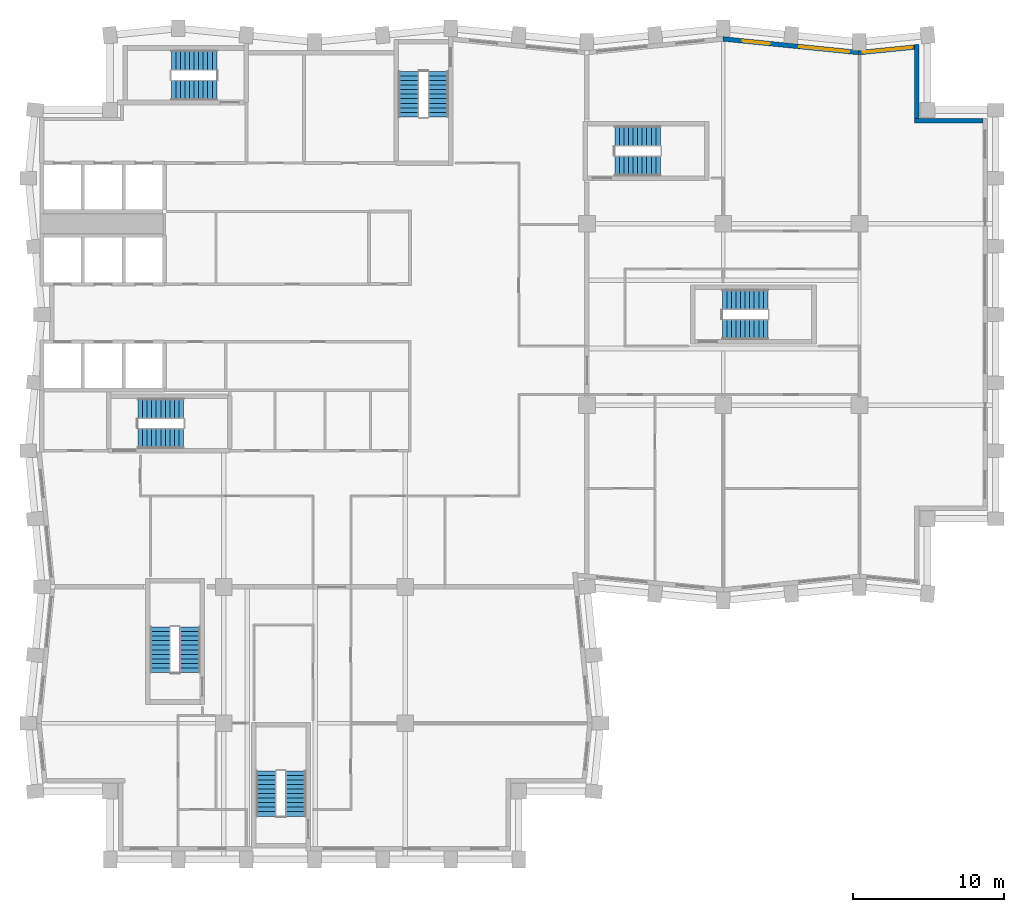
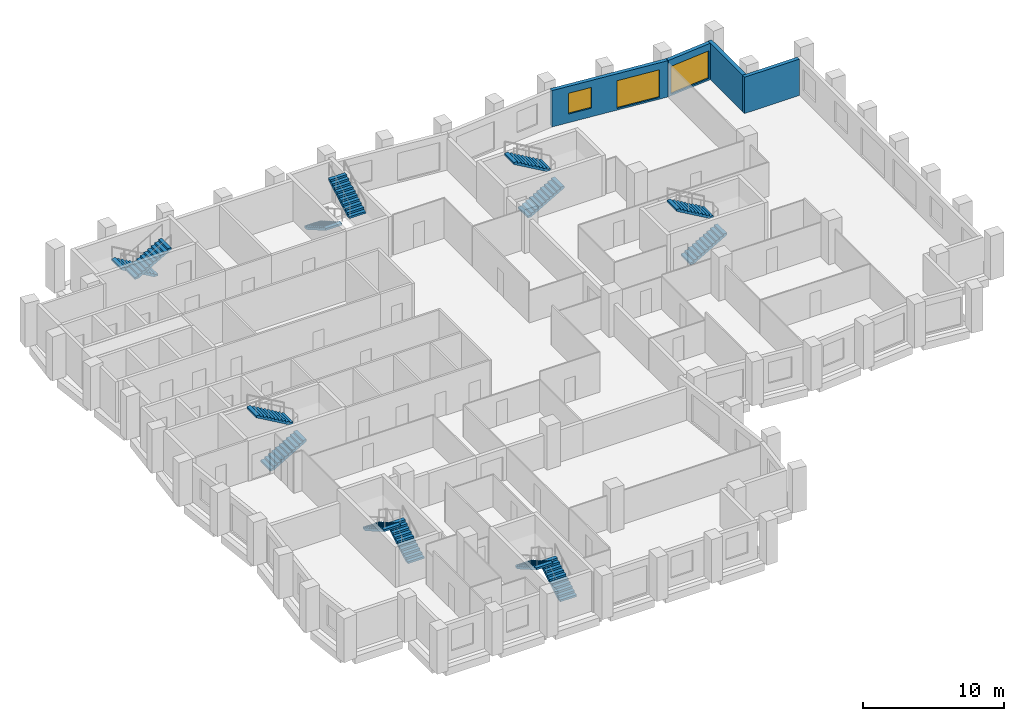
# One storey, part 8 of 10: 14 stair flights, 4 walls, 3 windows, 3 openings, 7 elements without a shape of their own.
"""IFC4 building model written with IfcOpenShell, lengths in metres."""

import ifcopenshell
import ifcopenshell.guid

model = None  # the IFC model being written
_history = None  # IfcOwnerHistory: only IFC2X3 demands one
_inside = {}  # id of a spatial element -> (the spatial element, [elements in it])
_under = {}  # id of a project, library or spatial element -> (it, [spatial elements below it])
_declared = {}  # id of a project -> (the project, [libraries it declares])
_typed = {}  # id of a type object -> (the type object, [elements of that type])
_made_of = {}  # id of a material, layer set ... -> (it, [elements and type objects made of it])


def new_model(schema):
    """Start an empty IFC model of exactly this schema.

    Asked for "IFC4X3", IfcOpenShell would pick the latest addendum, in which some entities
    have other attributes; the version numbers below select the first issue.
    IFC2X3 requires an IfcOwnerHistory on every rooted entity: one is made here for all.
    """
    global model, _history
    if schema == "IFC4X3":
        model = ifcopenshell.file(schema_version=(4, 3, 0, 0))
    else:
        model = ifcopenshell.file(schema=schema)
    _inside.clear()
    _under.clear()
    _declared.clear()
    _typed.clear()
    _made_of.clear()
    _history = None
    if model.schema == "IFC2X3":
        org = make("IfcOrganization", Name="unknown")
        user = make(
            "IfcPersonAndOrganization",
            ThePerson=make("IfcPerson", FamilyName="unknown"),
            TheOrganization=org,
        )
        app = make(
            "IfcApplication",
            ApplicationDeveloper=org,
            Version="unknown",
            ApplicationFullName="unknown",
            ApplicationIdentifier="unknown",
        )
        _history = make(
            "IfcOwnerHistory",
            OwningUser=user,
            OwningApplication=app,
            ChangeAction="ADDED",
            CreationDate=0,
        )
    return model


def make(cls, **values):
    """One entity of the class cls with the attributes given. An attribute that is None is left unset."""
    return model.create_entity(
        cls, **{name: value for name, value in values.items() if value is not None}
    )


def rooted(cls, **values):
    """An entity with a GlobalId (a new one), such as an element, a storey or a relation."""
    return make(cls, GlobalId=ifcopenshell.guid.new(), OwnerHistory=_history, **values)


def si_unit(unit_type, name, prefix=None):
    """IfcSIUnit, for example si_unit("LENGTHUNIT", "METRE", prefix="MILLI")."""
    return make("IfcSIUnit", UnitType=unit_type, Prefix=prefix, Name=name)


def assignment(units):
    """IfcUnitAssignment: the units of a project."""
    return None if units is None else make("IfcUnitAssignment", Units=units)


def point(xyz):
    """IfcCartesianPoint."""
    return None if xyz is None else make("IfcCartesianPoint", Coordinates=xyz)


def direction(xyz):
    """IfcDirection."""
    return None if xyz is None else make("IfcDirection", DirectionRatios=xyz)


def frame(location, z_axis=None, x_axis=None):
    """IfcAxis2Placement3D, a coordinate frame: its origin and axes. An axis left out is left unset."""
    return make(
        "IfcAxis2Placement3D",
        Location=point(location),
        Axis=direction(z_axis),
        RefDirection=direction(x_axis),
    )


def frame_2d(location, x_axis=None):
    """IfcAxis2Placement2D, a coordinate frame in the plane: its origin and x axis."""
    return make(
        "IfcAxis2Placement2D", Location=point(location), RefDirection=direction(x_axis)
    )


def origin():
    """The frame at (0, 0, 0) with its axes left unset."""
    return frame((0.0, 0.0, 0.0))


def place(relative_to, where):
    """IfcLocalPlacement: puts the frame where relative to a parent placement (None: the world)."""
    return make(
        "IfcLocalPlacement", PlacementRelTo=relative_to, RelativePlacement=where
    )


def context(
    kind, dimensions, precision=None, world=None, true_north=None, identifier=None
):
    """IfcGeometricRepresentationContext, for example the 3D "Model" context."""
    return make(
        "IfcGeometricRepresentationContext",
        ContextIdentifier=identifier,
        ContextType=kind,
        CoordinateSpaceDimension=dimensions,
        Precision=precision,
        WorldCoordinateSystem=world,
        TrueNorth=true_north,
    )


def subcontext(parent, identifier, kind, view, scale=None):
    """IfcGeometricRepresentationSubContext, for example "Body" below "Model"."""
    return make(
        "IfcGeometricRepresentationSubContext",
        ContextIdentifier=identifier,
        ContextType=kind,
        ParentContext=parent,
        TargetScale=scale,
        TargetView=view,
    )


def project(units=None, contexts=None):
    """IfcProject with its units and contexts."""
    return rooted(
        "IfcProject",
        Name="project",
        RepresentationContexts=contexts,
        UnitsInContext=assignment(units),
    )


def spatial(cls, under=None, at=None, **own):
    """A site, building, storey or space (cls), placed at a placement, below another one or the project."""
    s = rooted(cls, ObjectPlacement=at, **own)
    if under is not None:
        _under.setdefault(under.id(), (under, []))[1].append(s)
    return s


def polyline(points):
    """IfcPolyline through the points."""
    return make("IfcPolyline", Points=[point(p) for p in points])


def profile(cls, at=None, kind="AREA", **sizes):
    """A parametric profile (cls). Its sizes go by their IFC names, for example OverallWidth=200.0."""
    return make(cls, ProfileType=kind, Position=at, **sizes)


def rectangle(**sizes):
    """IfcRectangleProfileDef."""
    return profile("IfcRectangleProfileDef", **sizes)


def outline(outer, holes=None, kind="AREA"):
    """IfcArbitraryClosedProfileDef: a profile drawn as a closed curve; with holes, ...WithVoids."""
    if holes is None:
        return make("IfcArbitraryClosedProfileDef", ProfileType=kind, OuterCurve=outer)
    return make(
        "IfcArbitraryProfileDefWithVoids",
        ProfileType=kind,
        OuterCurve=outer,
        InnerCurves=holes,
    )


def extrude(swept, where, along, depth):
    """IfcExtrudedAreaSolid: the profile swept, set in the frame where, extruded along a direction by depth."""
    return make(
        "IfcExtrudedAreaSolid",
        SweptArea=swept,
        Position=where,
        ExtrudedDirection=direction(along),
        Depth=depth,
    )


def shape(context_of_items, identifier, shape_type, items):
    """IfcShapeRepresentation: the items that make up one representation, for example the "Body"."""
    return make(
        "IfcShapeRepresentation",
        ContextOfItems=context_of_items,
        RepresentationIdentifier=identifier,
        RepresentationType=shape_type,
        Items=items,
    )


def material(Name=None, Category=None):
    """IfcMaterial."""
    return make("IfcMaterial", Name=Name, Category=Category)


def layer(
    of_material, thickness, ventilated=None, Name=None, Category=None, Priority=None
):
    """IfcMaterialLayer: one layer of a wall or slab, of a material (None: an air gap)."""
    return make(
        "IfcMaterialLayer",
        Material=of_material,
        LayerThickness=thickness,
        IsVentilated=ventilated,
        Name=Name,
        Category=Category,
        Priority=Priority,
    )


def layer_set(layers, Name=None):
    """IfcMaterialLayerSet."""
    return make("IfcMaterialLayerSet", MaterialLayers=layers, LayerSetName=Name)


def made_of(thing, what):
    """Note that an element or type object is made of a material, layer set ...; save() writes the relation."""
    if what is not None:
        _made_of.setdefault(what.id(), (what, []))[1].append(thing)
    return thing


def type_object(cls, material=None, **own):
    """A type object (cls), such as IfcWallType, which elements share."""
    return made_of(rooted(cls, **own), material)


def element(
    cls,
    number,
    at=None,
    inside=None,
    cuts=None,
    type_object=None,
    material=None,
    context=None,
    identifier="Body",
    shape_type=None,
    held_by="IfcProductDefinitionShape",
    body=None,
    shapes=None,
    **own,
):
    """One element of the class cls, such as IfcWall. Its Tag is "e" and its number.

    at: its placement. inside: the storey or other place that contains it. cuts: it is an
    opening in that element (IfcRelVoidsElement). A single representation is given by context,
    identifier, shape_type and body (its items); several are given by shapes. held_by: the class
    of the entity that holds the representations. save() writes the other relations.
    """
    e = rooted(cls, Tag="e%d" % number, ObjectPlacement=at, **own)
    if body is not None:
        shapes = [shape(context, identifier, shape_type, body)]
    if shapes is not None:
        e.Representation = make(held_by, Representations=shapes)
    if inside is not None:
        _inside.setdefault(inside.id(), (inside, []))[1].append(e)
    if cuts is not None:
        rooted(
            "IfcRelVoidsElement", RelatingBuildingElement=cuts, RelatedOpeningElement=e
        )
    if type_object is not None:
        _typed.setdefault(type_object.id(), (type_object, []))[1].append(e)
    return made_of(e, material)


def fill(opening, filler):
    """IfcRelFillsElement: the door or window that sits in an opening."""
    return rooted(
        "IfcRelFillsElement",
        RelatingOpeningElement=opening,
        RelatedBuildingElement=filler,
    )


def aggregate(whole, parts):
    """IfcRelAggregates: a whole, such as a stair, and the parts it consists of."""
    return rooted("IfcRelAggregates", RelatingObject=whole, RelatedObjects=parts)


def save(model, path):
    """Write the relations noted so far, then the file.

    IfcRelAggregates (storeys below a building ...), IfcRelContainedInSpatialStructure (elements
    in a storey), IfcRelDefinesByType, IfcRelAssociatesMaterial and IfcRelDeclares: one each for
    every whole, place, type object, material and project.
    """
    for whole, parts in _under.values():
        aggregate(whole, parts)
    for where, things in _inside.values():
        rooted(
            "IfcRelContainedInSpatialStructure",
            RelatedElements=things,
            RelatingStructure=where,
        )
    for kind, things in _typed.values():
        rooted("IfcRelDefinesByType", RelatedObjects=things, RelatingType=kind)
    for what, things in _made_of.values():
        rooted("IfcRelAssociatesMaterial", RelatedObjects=things, RelatingMaterial=what)
    for by, libraries in _declared.values():
        rooted("IfcRelDeclares", RelatingContext=by, RelatedDefinitions=libraries)
    model.write(path)


model = new_model("IFC4")

# Units and contexts
model_context = context("Model", 3, precision=1e-05, world=origin(), true_north=direction((0.0, 1.0)))
body_context = subcontext(model_context, "Body", "Model", "MODEL_VIEW")
ifc_project = project(units=[si_unit("LENGTHUNIT", "METRE"), si_unit("AREAUNIT", "SQUARE_METRE"), si_unit("VOLUMEUNIT", "CUBIC_METRE"), si_unit("PLANEANGLEUNIT", "RADIAN"), si_unit("MASSUNIT", "GRAM", prefix="KILO")], contexts=[model_context])

# Site, building, storey
site_placement = place(None, origin())
site = spatial("IfcSite", under=ifc_project, at=site_placement, CompositionType="ELEMENT")
building_placement = place(site_placement, origin())
building = spatial("IfcBuilding", under=site, at=building_placement, Name="Brondeck Convention Tower", CompositionType="ELEMENT")
storey_placement = place(building_placement, frame((0.0, 0.0, 173.800048828125)))
storey = spatial("IfcBuildingStorey", under=building, at=storey_placement, Name="L42", CompositionType="ELEMENT", Elevation=173.800048828125)

# Walls
ifc_material_1 = material(Name="Precast concrete C50/60 bronze finish", Category="concrete")
ifc_layer_1 = layer(ifc_material_1, 0.070068359375, Name="Bronze precast facing")
ifc_material_2 = material(Name="Mineral wool")
ifc_layer_2 = layer(ifc_material_2, 0.159912109375, Name="Insulation")
ifc_material_3 = material(Name="Concrete C35/45", Category="concrete")
ifc_layer_3 = layer(ifc_material_3, 0.070068359375, Name="Backing")
ifc_layer_set = layer_set([ifc_layer_1, ifc_layer_2, ifc_layer_3], Name="External infill wall, precast concrete C50/60 bronze facing")
wall_type = type_object("IfcWallType", Name="External infill wall, precast concrete C50/60 bronze facing", PredefinedType="SOLIDWALL", material=ifc_layer_set)
wall_1_placement = place(storey_placement, frame((57.64990234375, 57.800048828125, 0.0), z_axis=(0.0, 0.0, 1.0), x_axis=(1.0, 0.0, 0.0)))
element("IfcWall", 1, at=wall_1_placement, inside=storey, type_object=wall_type, Name="ENV-EW-L42-P1-NC-NEA63-01", PredefinedType="SOLIDWALL", context=body_context, shape_type="SweptSolid", body=[
    extrude(rectangle(XDim=4.502197265625, YDim=0.300048828125, at=frame_2d((2.2509765625, 0.0))), origin(), (0.0, 0.0, 1.0), 3.14990234375),
])
wall_2_placement = place(storey_placement, frame((57.800048828125, 62.84228515625, 0.0), z_axis=(0.0, 0.0, 1.0), x_axis=(0.0, -1.0, 0.0)))
element("IfcWall", 2, at=wall_2_placement, inside=storey, type_object=wall_type, Name="ENV-EW-L42-P1-NC-NEA63-02", PredefinedType="SOLIDWALL", context=body_context, shape_type="SweptSolid", body=[
    extrude(rectangle(XDim=4.894287109375, YDim=0.300048828125, at=frame_2d((2.447265625, 0.0))), origin(), (0.0, 0.0, 1.0), 3.14990234375),
])

# Wall, opening, window
wall_3_placement = place(storey_placement, frame((53.985107421875, 62.294921875, 0.0), z_axis=(0.0, 0.0, 1.0), x_axis=(0.99503719021, 0.099503719021, 0.0)))
wall_3 = element("IfcWall", 3, at=wall_3_placement, inside=storey, type_object=wall_type, Name="ENV-EW-L42-P1-A-N-12", PredefinedType="SOLIDWALL", context=body_context, shape_type="SweptSolid", body=[
    extrude(rectangle(XDim=3.677978515625, YDim=0.300048828125, at=frame_2d((1.8388671875, 0.0))), origin(), (0.0, 0.0, 1.0), 3.14990234375),
])
opening_1_placement = place(wall_3_placement, frame((0.22802734375, 0.0, 0.14990234375)))
opening_1 = element("IfcOpeningElement", 4, at=opening_1_placement, cuts=wall_3, Name="Opening W9", PredefinedType="OPENING", context=body_context, shape_type="SweptSolid", body=[
    extrude(rectangle(XDim=3.300048828125, YDim=2.39990234375, at=frame_2d((1.64990234375, 1.199951171875))), frame((0.0, 0.159912109375, 0.0), z_axis=(0.0, -1.0, 0.0), x_axis=(1.0, 0.0, 0.0)), (0.0, 0.0, 1.0), 0.320068359375),
])
ifc_material_4 = material(Name="Bronze tinted double glazing", Category="glass")
window_type_1 = type_object("IfcWindowType", Name="Glazed flute window, bronze tinted", PartitioningType="SINGLE_PANEL", PredefinedType="WINDOW", material=ifc_material_4)
window_1_placement = place(opening_1_placement, origin())
window_1 = element("IfcWindow", 5, at=window_1_placement, inside=storey, type_object=window_type_1, Name="ENV-WN-L42-P1-A-N-12", OverallHeight=2.39990234375, OverallWidth=3.300048828125, PartitioningType="SINGLE_PANEL", PredefinedType="WINDOW", context=body_context, shape_type="SweptSolid", body=[
    extrude(rectangle(XDim=3.300048828125, YDim=2.39990234375, at=frame_2d((1.64990234375, 1.199951171875))), frame((0.0, 0.030029296875, 0.0), z_axis=(0.0, -1.0, 0.0), x_axis=(1.0, 0.0, 0.0)), (0.0, 0.0, 1.0), 0.06005859375),
])
fill(opening_1, window_1)

# Wall, openings, windows
wall_4_placement = place(storey_placement, frame((44.985107421875, 63.197998046875, 0.0), z_axis=(0.0, 0.0, 1.0), x_axis=(0.995037993253, -0.099495688264, 0.0)))
wall_4 = element("IfcWall", 6, at=wall_4_placement, inside=storey, type_object=wall_type, Name="ENV-EW-L42-P1-A-N-11", PredefinedType="SOLIDWALL", context=body_context, shape_type="SweptSolid", body=[
    extrude(rectangle(XDim=9.030029296875, YDim=0.300048828125, at=frame_2d((4.51513671875, 0.0))), origin(), (0.0, 0.0, 1.0), 3.14990234375),
])
opening_2_placement = place(wall_4_placement, frame((1.30615234375, 0.0, 0.75)))
opening_2 = element("IfcOpeningElement", 7, at=opening_2_placement, cuts=wall_4, Name="Opening W10", PredefinedType="OPENING", context=body_context, shape_type="SweptSolid", body=[
    extrude(rectangle(XDim=1.800048828125, YDim=1.800048828125, at=frame_2d((0.89990234375, 0.89990234375))), frame((0.0, 0.159912109375, 0.0), z_axis=(0.0, -1.0, 0.0), x_axis=(1.0, 0.0, 0.0)), (0.0, 0.0, 1.0), 0.320068359375),
])
opening_3_placement = place(wall_4_placement, frame((5.07861328125, 0.0, 0.14990234375)))
opening_3 = element("IfcOpeningElement", 8, at=opening_3_placement, cuts=wall_4, Name="Opening W9", PredefinedType="OPENING", context=body_context, shape_type="SweptSolid", body=[
    extrude(rectangle(XDim=3.300048828125, YDim=2.39990234375, at=frame_2d((1.64990234375, 1.199951171875))), frame((0.0, 0.159912109375, 0.0), z_axis=(0.0, -1.0, 0.0), x_axis=(1.0, 0.0, 0.0)), (0.0, 0.0, 1.0), 0.320068359375),
])
window_2_placement = place(opening_3_placement, origin())
window_2 = element("IfcWindow", 9, at=window_2_placement, inside=storey, type_object=window_type_1, Name="ENV-WN-L42-P1-A-N-11", OverallHeight=2.39990234375, OverallWidth=3.300048828125, PartitioningType="SINGLE_PANEL", PredefinedType="WINDOW", context=body_context, shape_type="SweptSolid", body=[
    extrude(rectangle(XDim=3.300048828125, YDim=2.39990234375, at=frame_2d((1.64990234375, 1.199951171875))), frame((0.0, 0.030029296875, 0.0), z_axis=(0.0, -1.0, 0.0), x_axis=(1.0, 0.0, 0.0)), (0.0, 0.0, 1.0), 0.06005859375),
])
fill(opening_3, window_2)
window_type_2 = type_object("IfcWindowType", Name="Punched window, bronze tinted", PartitioningType="SINGLE_PANEL", PredefinedType="WINDOW", material=ifc_material_4)
window_3_placement = place(opening_2_placement, origin())
window_3 = element("IfcWindow", 10, at=window_3_placement, inside=storey, type_object=window_type_2, Name="ENV-WN-L42-P1-A-N-10", OverallHeight=1.800048828125, OverallWidth=1.800048828125, PartitioningType="SINGLE_PANEL", PredefinedType="WINDOW", context=body_context, shape_type="SweptSolid", body=[
    extrude(rectangle(XDim=1.800048828125, YDim=1.800048828125, at=frame_2d((0.89990234375, 0.89990234375))), frame((0.0, 0.030029296875, 0.0), z_axis=(0.0, -1.0, 0.0), x_axis=(1.0, 0.0, 0.0)), (0.0, 0.0, 1.0), 0.06005859375),
])
fill(opening_2, window_3)

# Stair, stair flights
ifc_material_5 = material(Name="Precast concrete C50/60", Category="concrete")
stair_type = type_object("IfcStairType", Name="Core stair 22 risers 172.73 mm riser 300 mm going 1350 wide", PredefinedType="HALF_TURN_STAIR", material=ifc_material_5)
stair_1_placement = place(storey_placement, origin())
stair_1 = element("IfcStair", 11, at=stair_1_placement, inside=storey, type_object=stair_type, Name="ST-1 L42 stair", PredefinedType="HALF_TURN_STAIR")
stair_flight_type = type_object("IfcStairFlightType", Name="Core stair flight 22 risers 172.73 mm riser 300 mm going 1350 wide", PredefinedType="STRAIGHT", material=ifc_material_5)
stair_flight_1_placement = place(storey_placement, frame((6.35009765625, 36.824951171875, 0.0), z_axis=(0.0, 0.0, 1.0), x_axis=(1.0, 0.0, 0.0)))
stair_flight_1 = element("IfcStairFlight", 12, at=stair_flight_1_placement, type_object=stair_flight_type, Name="ST-1 flight 1", NumberOfRisers=11, NumberOfTreads=10, PredefinedType="STRAIGHT", RiserHeight=0.172727273, TreadLength=0.3, context=body_context, shape_type="SweptSolid", body=[
    extrude(outline(polyline([(0.0, 0.0), (0.0, 0.172607421875), (0.300048828125, 0.172607421875), (0.300048828125, 0.345458984375), (0.60009765625, 0.345458984375), (0.60009765625, 0.51806640625), (0.89990234375, 0.51806640625), (0.89990234375, 0.69091796875), (1.199951171875, 0.69091796875), (1.199951171875, 0.863525390625), (1.5, 0.863525390625), (1.5, 1.036376953125), (1.800048828125, 1.036376953125), (1.800048828125, 1.208984375), (2.10009765625, 1.208984375), (2.10009765625, 1.3818359375), (2.39990234375, 1.3818359375), (2.39990234375, 1.554443359375), (2.699951171875, 1.554443359375), (2.699951171875, 1.727294921875), (3.0, 1.727294921875), (3.0, 1.89990234375), (3.0, 1.55419921875), (0.300537109375, 0.0), (0.0, 0.0)])), frame((0.0, 0.675048828125, 0.0), z_axis=(0.0, -1.0, 0.0), x_axis=(1.0, 0.0, 0.0)), (0.0, 0.0, 1.0), 1.35009765625),
])
stair_flight_2_placement = place(storey_placement, frame((9.35009765625, 38.77490234375, 1.89990234375), z_axis=(0.0, 0.0, 1.0), x_axis=(-1.0, 0.0, 0.0)))
stair_flight_2 = element("IfcStairFlight", 13, at=stair_flight_2_placement, type_object=stair_flight_type, Name="ST-1 flight 2", NumberOfRisers=11, NumberOfTreads=10, PredefinedType="STRAIGHT", RiserHeight=0.172727273, TreadLength=0.3, context=body_context, shape_type="SweptSolid", body=[
    extrude(outline(polyline([(0.0, 0.0), (0.0, 0.172607421875), (0.300048828125, 0.172607421875), (0.300048828125, 0.345458984375), (0.60009765625, 0.345458984375), (0.60009765625, 0.51806640625), (0.89990234375, 0.51806640625), (0.89990234375, 0.69091796875), (1.199951171875, 0.69091796875), (1.199951171875, 0.863525390625), (1.5, 0.863525390625), (1.5, 1.036376953125), (1.800048828125, 1.036376953125), (1.800048828125, 1.208984375), (2.10009765625, 1.208984375), (2.10009765625, 1.3818359375), (2.39990234375, 1.3818359375), (2.39990234375, 1.554443359375), (2.699951171875, 1.554443359375), (2.699951171875, 1.727294921875), (3.0, 1.727294921875), (3.0, 1.89990234375), (3.0, 1.55419921875), (0.300537109375, 0.0), (0.0, 0.0)])), frame((0.0, 0.675048828125, 0.0), z_axis=(0.0, -1.0, 0.0), x_axis=(1.0, 0.0, 0.0)), (0.0, 0.0, 1.0), 1.35009765625),
])
aggregate(stair_1, [stair_flight_1, stair_flight_2])

stair_2_placement = place(storey_placement, origin())
stair_2 = element("IfcStair", 14, at=stair_2_placement, inside=storey, type_object=stair_type, Name="ST-2 L42 stair", PredefinedType="HALF_TURN_STAIR")
stair_flight_3_placement = place(storey_placement, frame((24.22509765625, 61.050048828125, 0.0), z_axis=(0.0, 0.0, 1.0), x_axis=(0.0, -1.0, 0.0)))
stair_flight_3 = element("IfcStairFlight", 15, at=stair_flight_3_placement, type_object=stair_flight_type, Name="ST-2 flight 1", NumberOfRisers=11, NumberOfTreads=10, PredefinedType="STRAIGHT", RiserHeight=0.172727273, TreadLength=0.3, context=body_context, shape_type="SweptSolid", body=[
    extrude(outline(polyline([(0.0, 0.0), (0.0, 0.172607421875), (0.300048828125, 0.172607421875), (0.300048828125, 0.345458984375), (0.60009765625, 0.345458984375), (0.60009765625, 0.51806640625), (0.89990234375, 0.51806640625), (0.89990234375, 0.69091796875), (1.199951171875, 0.69091796875), (1.199951171875, 0.863525390625), (1.5, 0.863525390625), (1.5, 1.036376953125), (1.800048828125, 1.036376953125), (1.800048828125, 1.208984375), (2.10009765625, 1.208984375), (2.10009765625, 1.3818359375), (2.39990234375, 1.3818359375), (2.39990234375, 1.554443359375), (2.699951171875, 1.554443359375), (2.699951171875, 1.727294921875), (3.0, 1.727294921875), (3.0, 1.89990234375), (3.0, 1.55419921875), (0.300537109375, 0.0), (0.0, 0.0)])), frame((0.0, 0.675048828125, 0.0), z_axis=(0.0, -1.0, 0.0), x_axis=(1.0, 0.0, 0.0)), (0.0, 0.0, 1.0), 1.35009765625),
])
stair_flight_4_placement = place(storey_placement, frame((26.175048828125, 58.050048828125, 1.89990234375), z_axis=(0.0, 0.0, 1.0), x_axis=(0.0, 1.0, 0.0)))
stair_flight_4 = element("IfcStairFlight", 16, at=stair_flight_4_placement, type_object=stair_flight_type, Name="ST-2 flight 2", NumberOfRisers=11, NumberOfTreads=10, PredefinedType="STRAIGHT", RiserHeight=0.172727273, TreadLength=0.3, context=body_context, shape_type="SweptSolid", body=[
    extrude(outline(polyline([(0.0, 0.0), (0.0, 0.172607421875), (0.300048828125, 0.172607421875), (0.300048828125, 0.345458984375), (0.60009765625, 0.345458984375), (0.60009765625, 0.51806640625), (0.89990234375, 0.51806640625), (0.89990234375, 0.69091796875), (1.199951171875, 0.69091796875), (1.199951171875, 0.863525390625), (1.5, 0.863525390625), (1.5, 1.036376953125), (1.800048828125, 1.036376953125), (1.800048828125, 1.208984375), (2.10009765625, 1.208984375), (2.10009765625, 1.3818359375), (2.39990234375, 1.3818359375), (2.39990234375, 1.554443359375), (2.699951171875, 1.554443359375), (2.699951171875, 1.727294921875), (3.0, 1.727294921875), (3.0, 1.89990234375), (3.0, 1.55419921875), (0.300537109375, 0.0), (0.0, 0.0)])), frame((0.0, 0.675048828125, 0.0), z_axis=(0.0, -1.0, 0.0), x_axis=(1.0, 0.0, 0.0)), (0.0, 0.0, 1.0), 1.35009765625),
])
aggregate(stair_2, [stair_flight_3, stair_flight_4])

stair_3_placement = place(storey_placement, origin())
stair_3 = element("IfcStair", 17, at=stair_3_placement, inside=storey, type_object=stair_type, Name="ST-3 L42 stair", PredefinedType="HALF_TURN_STAIR")
stair_flight_5_placement = place(storey_placement, frame((11.550048828125, 61.77490234375, 0.0), z_axis=(0.0, 0.0, 1.0), x_axis=(-1.0, 0.0, 0.0)))
stair_flight_5 = element("IfcStairFlight", 18, at=stair_flight_5_placement, type_object=stair_flight_type, Name="ST-3 flight 1", NumberOfRisers=11, NumberOfTreads=10, PredefinedType="STRAIGHT", RiserHeight=0.172727273, TreadLength=0.3, context=body_context, shape_type="SweptSolid", body=[
    extrude(outline(polyline([(0.0, 0.0), (0.0, 0.172607421875), (0.300048828125, 0.172607421875), (0.300048828125, 0.345458984375), (0.60009765625, 0.345458984375), (0.60009765625, 0.51806640625), (0.89990234375, 0.51806640625), (0.89990234375, 0.69091796875), (1.199951171875, 0.69091796875), (1.199951171875, 0.863525390625), (1.5, 0.863525390625), (1.5, 1.036376953125), (1.800048828125, 1.036376953125), (1.800048828125, 1.208984375), (2.10009765625, 1.208984375), (2.10009765625, 1.3818359375), (2.39990234375, 1.3818359375), (2.39990234375, 1.554443359375), (2.699951171875, 1.554443359375), (2.699951171875, 1.727294921875), (3.0, 1.727294921875), (3.0, 1.89990234375), (3.0, 1.55419921875), (0.300537109375, 0.0), (0.0, 0.0)])), frame((0.0, 0.675048828125, 0.0), z_axis=(0.0, -1.0, 0.0), x_axis=(1.0, 0.0, 0.0)), (0.0, 0.0, 1.0), 1.35009765625),
])
stair_flight_6_placement = place(storey_placement, frame((8.550048828125, 59.824951171875, 1.89990234375), z_axis=(0.0, 0.0, 1.0), x_axis=(1.0, 0.0, 0.0)))
stair_flight_6 = element("IfcStairFlight", 19, at=stair_flight_6_placement, type_object=stair_flight_type, Name="ST-3 flight 2", NumberOfRisers=11, NumberOfTreads=10, PredefinedType="STRAIGHT", RiserHeight=0.172727273, TreadLength=0.3, context=body_context, shape_type="SweptSolid", body=[
    extrude(outline(polyline([(0.0, 0.0), (0.0, 0.172607421875), (0.300048828125, 0.172607421875), (0.300048828125, 0.345458984375), (0.60009765625, 0.345458984375), (0.60009765625, 0.51806640625), (0.89990234375, 0.51806640625), (0.89990234375, 0.69091796875), (1.199951171875, 0.69091796875), (1.199951171875, 0.863525390625), (1.5, 0.863525390625), (1.5, 1.036376953125), (1.800048828125, 1.036376953125), (1.800048828125, 1.208984375), (2.10009765625, 1.208984375), (2.10009765625, 1.3818359375), (2.39990234375, 1.3818359375), (2.39990234375, 1.554443359375), (2.699951171875, 1.554443359375), (2.699951171875, 1.727294921875), (3.0, 1.727294921875), (3.0, 1.89990234375), (3.0, 1.55419921875), (0.300537109375, 0.0), (0.0, 0.0)])), frame((0.0, 0.675048828125, 0.0), z_axis=(0.0, -1.0, 0.0), x_axis=(1.0, 0.0, 0.0)), (0.0, 0.0, 1.0), 1.35009765625),
])
aggregate(stair_3, [stair_flight_5, stair_flight_6])

stair_4_placement = place(storey_placement, origin())
stair_4 = element("IfcStair", 20, at=stair_4_placement, inside=storey, type_object=stair_type, Name="ST-AE L42 stair", PredefinedType="HALF_TURN_STAIR")
stair_flight_7_placement = place(storey_placement, frame((37.85009765625, 54.824951171875, 0.0), z_axis=(0.0, 0.0, 1.0), x_axis=(1.0, 0.0, 0.0)))
stair_flight_7 = element("IfcStairFlight", 21, at=stair_flight_7_placement, type_object=stair_flight_type, Name="ST-AE flight 1", NumberOfRisers=11, NumberOfTreads=10, PredefinedType="STRAIGHT", RiserHeight=0.172727273, TreadLength=0.3, context=body_context, shape_type="SweptSolid", body=[
    extrude(outline(polyline([(0.0, 0.0), (0.0, 0.172607421875), (0.300048828125, 0.172607421875), (0.300048828125, 0.345458984375), (0.60009765625, 0.345458984375), (0.60009765625, 0.51806640625), (0.89990234375, 0.51806640625), (0.89990234375, 0.69091796875), (1.199951171875, 0.69091796875), (1.199951171875, 0.863525390625), (1.5, 0.863525390625), (1.5, 1.036376953125), (1.800048828125, 1.036376953125), (1.800048828125, 1.208984375), (2.10009765625, 1.208984375), (2.10009765625, 1.3818359375), (2.39990234375, 1.3818359375), (2.39990234375, 1.554443359375), (2.699951171875, 1.554443359375), (2.699951171875, 1.727294921875), (3.0, 1.727294921875), (3.0, 1.89990234375), (3.0, 1.55419921875), (0.300537109375, 0.0), (0.0, 0.0)])), frame((0.0, 0.675048828125, 0.0), z_axis=(0.0, -1.0, 0.0), x_axis=(1.0, 0.0, 0.0)), (0.0, 0.0, 1.0), 1.35009765625),
])
stair_flight_8_placement = place(storey_placement, frame((40.85009765625, 56.77490234375, 1.89990234375), z_axis=(0.0, 0.0, 1.0), x_axis=(-1.0, 0.0, 0.0)))
stair_flight_8 = element("IfcStairFlight", 22, at=stair_flight_8_placement, type_object=stair_flight_type, Name="ST-AE flight 2", NumberOfRisers=11, NumberOfTreads=10, PredefinedType="STRAIGHT", RiserHeight=0.172727273, TreadLength=0.3, context=body_context, shape_type="SweptSolid", body=[
    extrude(outline(polyline([(0.0, 0.0), (0.0, 0.172607421875), (0.300048828125, 0.172607421875), (0.300048828125, 0.345458984375), (0.60009765625, 0.345458984375), (0.60009765625, 0.51806640625), (0.89990234375, 0.51806640625), (0.89990234375, 0.69091796875), (1.199951171875, 0.69091796875), (1.199951171875, 0.863525390625), (1.5, 0.863525390625), (1.5, 1.036376953125), (1.800048828125, 1.036376953125), (1.800048828125, 1.208984375), (2.10009765625, 1.208984375), (2.10009765625, 1.3818359375), (2.39990234375, 1.3818359375), (2.39990234375, 1.554443359375), (2.699951171875, 1.554443359375), (2.699951171875, 1.727294921875), (3.0, 1.727294921875), (3.0, 1.89990234375), (3.0, 1.55419921875), (0.300537109375, 0.0), (0.0, 0.0)])), frame((0.0, 0.675048828125, 0.0), z_axis=(0.0, -1.0, 0.0), x_axis=(1.0, 0.0, 0.0)), (0.0, 0.0, 1.0), 1.35009765625),
])
aggregate(stair_4, [stair_flight_7, stair_flight_8])

stair_5_placement = place(storey_placement, origin())
stair_5 = element("IfcStair", 23, at=stair_5_placement, inside=storey, type_object=stair_type, Name="ST-BE L42 stair", PredefinedType="HALF_TURN_STAIR")
stair_flight_9_placement = place(storey_placement, frame((9.77490234375, 21.35009765625, 0.0), z_axis=(0.0, 0.0, 1.0), x_axis=(0.0, 1.0, 0.0)))
stair_flight_9 = element("IfcStairFlight", 24, at=stair_flight_9_placement, type_object=stair_flight_type, Name="ST-BE flight 1", NumberOfRisers=11, NumberOfTreads=10, PredefinedType="STRAIGHT", RiserHeight=0.172727273, TreadLength=0.3, context=body_context, shape_type="SweptSolid", body=[
    extrude(outline(polyline([(0.0, 0.0), (0.0, 0.172607421875), (0.300048828125, 0.172607421875), (0.300048828125, 0.345458984375), (0.60009765625, 0.345458984375), (0.60009765625, 0.51806640625), (0.89990234375, 0.51806640625), (0.89990234375, 0.69091796875), (1.199951171875, 0.69091796875), (1.199951171875, 0.863525390625), (1.5, 0.863525390625), (1.5, 1.036376953125), (1.800048828125, 1.036376953125), (1.800048828125, 1.208984375), (2.10009765625, 1.208984375), (2.10009765625, 1.3818359375), (2.39990234375, 1.3818359375), (2.39990234375, 1.554443359375), (2.699951171875, 1.554443359375), (2.699951171875, 1.727294921875), (3.0, 1.727294921875), (3.0, 1.89990234375), (3.0, 1.55419921875), (0.300537109375, 0.0), (0.0, 0.0)])), frame((0.0, 0.675048828125, 0.0), z_axis=(0.0, -1.0, 0.0), x_axis=(1.0, 0.0, 0.0)), (0.0, 0.0, 1.0), 1.35009765625),
])
stair_flight_10_placement = place(storey_placement, frame((7.824951171875, 24.35009765625, 1.89990234375), z_axis=(0.0, 0.0, 1.0), x_axis=(0.0, -1.0, 0.0)))
stair_flight_10 = element("IfcStairFlight", 25, at=stair_flight_10_placement, type_object=stair_flight_type, Name="ST-BE flight 2", NumberOfRisers=11, NumberOfTreads=10, PredefinedType="STRAIGHT", RiserHeight=0.172727273, TreadLength=0.3, context=body_context, shape_type="SweptSolid", body=[
    extrude(outline(polyline([(0.0, 0.0), (0.0, 0.172607421875), (0.300048828125, 0.172607421875), (0.300048828125, 0.345458984375), (0.60009765625, 0.345458984375), (0.60009765625, 0.51806640625), (0.89990234375, 0.51806640625), (0.89990234375, 0.69091796875), (1.199951171875, 0.69091796875), (1.199951171875, 0.863525390625), (1.5, 0.863525390625), (1.5, 1.036376953125), (1.800048828125, 1.036376953125), (1.800048828125, 1.208984375), (2.10009765625, 1.208984375), (2.10009765625, 1.3818359375), (2.39990234375, 1.3818359375), (2.39990234375, 1.554443359375), (2.699951171875, 1.554443359375), (2.699951171875, 1.727294921875), (3.0, 1.727294921875), (3.0, 1.89990234375), (3.0, 1.55419921875), (0.300537109375, 0.0), (0.0, 0.0)])), frame((0.0, 0.675048828125, 0.0), z_axis=(0.0, -1.0, 0.0), x_axis=(1.0, 0.0, 0.0)), (0.0, 0.0, 1.0), 1.35009765625),
])
aggregate(stair_5, [stair_flight_9, stair_flight_10])

stair_6_placement = place(storey_placement, origin())
stair_6 = element("IfcStair", 26, at=stair_6_placement, inside=storey, type_object=stair_type, Name="ST-AF L42 stair", PredefinedType="HALF_TURN_STAIR")
stair_flight_11_placement = place(storey_placement, frame((44.949951171875, 44.02490234375, 0.0), z_axis=(0.0, 0.0, 1.0), x_axis=(1.0, 0.0, 0.0)))
stair_flight_11 = element("IfcStairFlight", 27, at=stair_flight_11_placement, type_object=stair_flight_type, Name="ST-AF flight 1", NumberOfRisers=11, NumberOfTreads=10, PredefinedType="STRAIGHT", RiserHeight=0.172727273, TreadLength=0.3, context=body_context, shape_type="SweptSolid", body=[
    extrude(outline(polyline([(0.0, 0.0), (0.0, 0.172607421875), (0.300048828125, 0.172607421875), (0.300048828125, 0.345458984375), (0.60009765625, 0.345458984375), (0.60009765625, 0.51806640625), (0.89990234375, 0.51806640625), (0.89990234375, 0.69091796875), (1.199951171875, 0.69091796875), (1.199951171875, 0.863525390625), (1.5, 0.863525390625), (1.5, 1.036376953125), (1.800048828125, 1.036376953125), (1.800048828125, 1.208984375), (2.10009765625, 1.208984375), (2.10009765625, 1.3818359375), (2.39990234375, 1.3818359375), (2.39990234375, 1.554443359375), (2.699951171875, 1.554443359375), (2.699951171875, 1.727294921875), (3.0, 1.727294921875), (3.0, 1.89990234375), (3.0, 1.55419921875), (0.300537109375, 0.0), (0.0, 0.0)])), frame((0.0, 0.675048828125, 0.0), z_axis=(0.0, -1.0, 0.0), x_axis=(1.0, 0.0, 0.0)), (0.0, 0.0, 1.0), 1.35009765625),
])
stair_flight_12_placement = place(storey_placement, frame((47.949951171875, 45.97509765625, 1.89990234375), z_axis=(0.0, 0.0, 1.0), x_axis=(-1.0, 0.0, 0.0)))
stair_flight_12 = element("IfcStairFlight", 28, at=stair_flight_12_placement, type_object=stair_flight_type, Name="ST-AF flight 2", NumberOfRisers=11, NumberOfTreads=10, PredefinedType="STRAIGHT", RiserHeight=0.172727273, TreadLength=0.3, context=body_context, shape_type="SweptSolid", body=[
    extrude(outline(polyline([(0.0, 0.0), (0.0, 0.172607421875), (0.300048828125, 0.172607421875), (0.300048828125, 0.345458984375), (0.60009765625, 0.345458984375), (0.60009765625, 0.51806640625), (0.89990234375, 0.51806640625), (0.89990234375, 0.69091796875), (1.199951171875, 0.69091796875), (1.199951171875, 0.863525390625), (1.5, 0.863525390625), (1.5, 1.036376953125), (1.800048828125, 1.036376953125), (1.800048828125, 1.208984375), (2.10009765625, 1.208984375), (2.10009765625, 1.3818359375), (2.39990234375, 1.3818359375), (2.39990234375, 1.554443359375), (2.699951171875, 1.554443359375), (2.699951171875, 1.727294921875), (3.0, 1.727294921875), (3.0, 1.89990234375), (3.0, 1.55419921875), (0.300537109375, 0.0), (0.0, 0.0)])), frame((0.0, 0.675048828125, 0.0), z_axis=(0.0, -1.0, 0.0), x_axis=(1.0, 0.0, 0.0)), (0.0, 0.0, 1.0), 1.35009765625),
])
aggregate(stair_6, [stair_flight_11, stair_flight_12])

stair_7_placement = place(storey_placement, origin())
stair_7 = element("IfcStair", 29, at=stair_7_placement, inside=storey, type_object=stair_type, Name="ST-BF L42 stair", PredefinedType="HALF_TURN_STAIR")
stair_flight_13_placement = place(storey_placement, frame((16.77490234375, 11.85009765625, 0.0), z_axis=(0.0, 0.0, 1.0), x_axis=(0.0, 1.0, 0.0)))
stair_flight_13 = element("IfcStairFlight", 30, at=stair_flight_13_placement, type_object=stair_flight_type, Name="ST-BF flight 1", NumberOfRisers=11, NumberOfTreads=10, PredefinedType="STRAIGHT", RiserHeight=0.172727273, TreadLength=0.3, context=body_context, shape_type="SweptSolid", body=[
    extrude(outline(polyline([(0.0, 0.0), (0.0, 0.172607421875), (0.300048828125, 0.172607421875), (0.300048828125, 0.345458984375), (0.60009765625, 0.345458984375), (0.60009765625, 0.51806640625), (0.89990234375, 0.51806640625), (0.89990234375, 0.69091796875), (1.199951171875, 0.69091796875), (1.199951171875, 0.863525390625), (1.5, 0.863525390625), (1.5, 1.036376953125), (1.800048828125, 1.036376953125), (1.800048828125, 1.208984375), (2.10009765625, 1.208984375), (2.10009765625, 1.3818359375), (2.39990234375, 1.3818359375), (2.39990234375, 1.554443359375), (2.699951171875, 1.554443359375), (2.699951171875, 1.727294921875), (3.0, 1.727294921875), (3.0, 1.89990234375), (3.0, 1.55419921875), (0.300537109375, 0.0), (0.0, 0.0)])), frame((0.0, 0.675048828125, 0.0), z_axis=(0.0, -1.0, 0.0), x_axis=(1.0, 0.0, 0.0)), (0.0, 0.0, 1.0), 1.35009765625),
])
stair_flight_14_placement = place(storey_placement, frame((14.824951171875, 14.85009765625, 1.89990234375), z_axis=(0.0, 0.0, 1.0), x_axis=(0.0, -1.0, 0.0)))
stair_flight_14 = element("IfcStairFlight", 31, at=stair_flight_14_placement, type_object=stair_flight_type, Name="ST-BF flight 2", NumberOfRisers=11, NumberOfTreads=10, PredefinedType="STRAIGHT", RiserHeight=0.172727273, TreadLength=0.3, context=body_context, shape_type="SweptSolid", body=[
    extrude(outline(polyline([(0.0, 0.0), (0.0, 0.172607421875), (0.300048828125, 0.172607421875), (0.300048828125, 0.345458984375), (0.60009765625, 0.345458984375), (0.60009765625, 0.51806640625), (0.89990234375, 0.51806640625), (0.89990234375, 0.69091796875), (1.199951171875, 0.69091796875), (1.199951171875, 0.863525390625), (1.5, 0.863525390625), (1.5, 1.036376953125), (1.800048828125, 1.036376953125), (1.800048828125, 1.208984375), (2.10009765625, 1.208984375), (2.10009765625, 1.3818359375), (2.39990234375, 1.3818359375), (2.39990234375, 1.554443359375), (2.699951171875, 1.554443359375), (2.699951171875, 1.727294921875), (3.0, 1.727294921875), (3.0, 1.89990234375), (3.0, 1.55419921875), (0.300537109375, 0.0), (0.0, 0.0)])), frame((0.0, 0.675048828125, 0.0), z_axis=(0.0, -1.0, 0.0), x_axis=(1.0, 0.0, 0.0)), (0.0, 0.0, 1.0), 1.35009765625),
])
aggregate(stair_7, [stair_flight_13, stair_flight_14])

save(model, "model.ifc")
